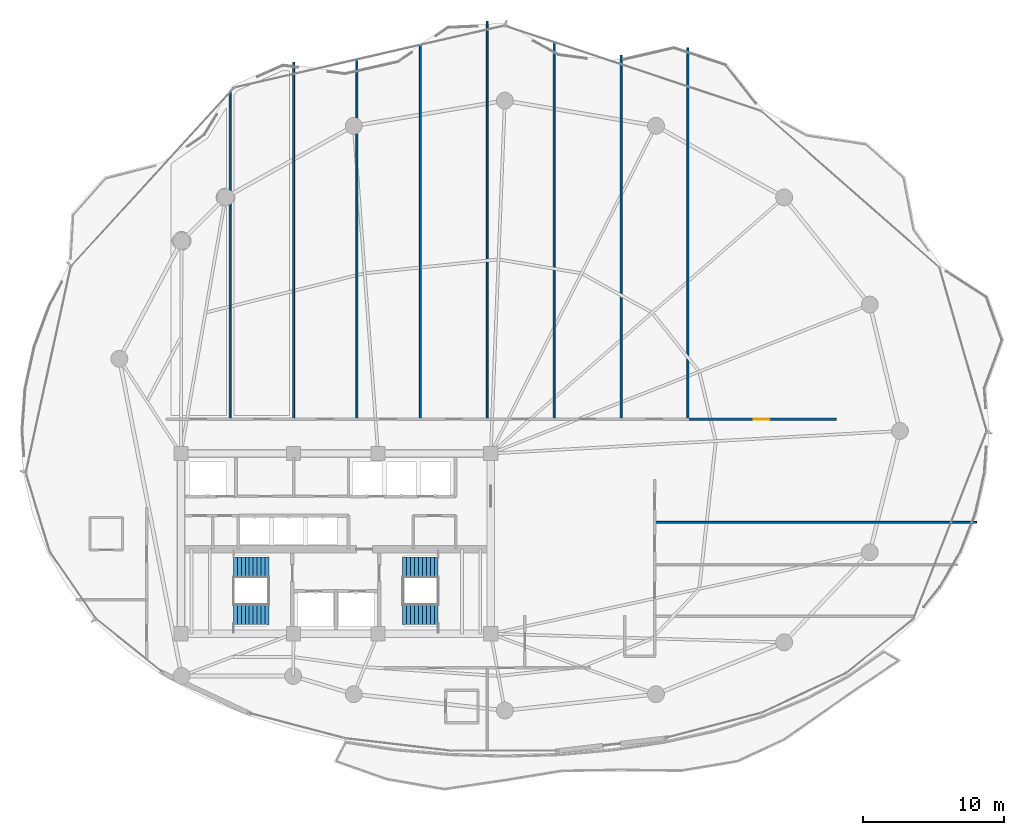
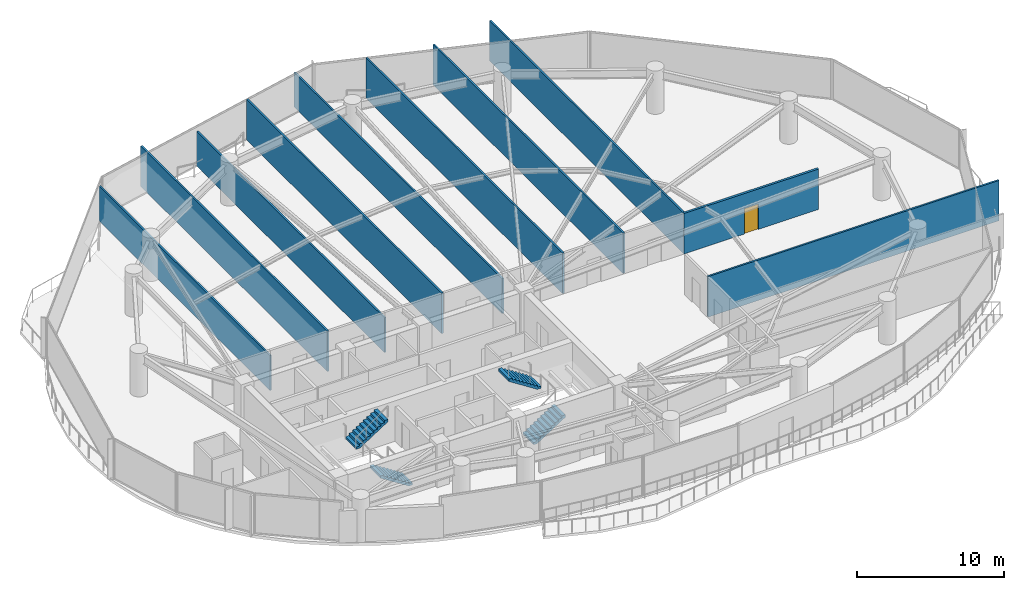
# One storey, part 28 of 34: 10 walls, 4 stair flights, 1 door, 1 opening, 2 elements without a shape of their own.
"""IFC4 building model written with IfcOpenShell, lengths in metres."""

from ifc_helpers import new_model, si_unit, direction, frame, frame_2d, origin, place, context, subcontext, project, spatial, polyline, rectangle, outline, extrude, material, layer, layer_set, type_object, element, fill, aggregate, save


model = new_model("IFC4")

# Units and contexts
model_context = context("Model", 3, precision=1e-05, world=origin(), true_north=direction((0.0, 1.0)))
body_context = subcontext(model_context, "Body", "Model", "MODEL_VIEW")
ifc_project = project(units=[si_unit("LENGTHUNIT", "METRE"), si_unit("AREAUNIT", "SQUARE_METRE"), si_unit("VOLUMEUNIT", "CUBIC_METRE"), si_unit("PLANEANGLEUNIT", "RADIAN"), si_unit("MASSUNIT", "GRAM", prefix="KILO")], contexts=[model_context])

# Site, building, storey
site_placement = place(None, origin())
site = spatial("IfcSite", under=ifc_project, at=site_placement, CompositionType="ELEMENT")
building_placement = place(site_placement, origin())
building = spatial("IfcBuilding", under=site, at=building_placement, Name="Kazevale Care Tower and Concert Hall", CompositionType="ELEMENT")
storey_placement = place(building_placement, frame((0.0, 0.0, 171.0)))
storey = spatial("IfcBuildingStorey", under=building, at=storey_placement, Name="L45", CompositionType="ELEMENT", Elevation=171.0)

# Walls
ifc_material_1 = material(Name="Acoustic Gypsum on Steel Stud", Category="steel")
ifc_layer_1 = layer(ifc_material_1, 0.139892578125)
ifc_layer_set_1 = layer_set([ifc_layer_1], Name="Acoustic Gypsum on Steel Stud")
wall_type_1 = type_object("IfcWallType", Name="Acoustic Care & Suite Partition 140", PredefinedType="PARTITIONING", material=ifc_layer_set_1)
wall_1_placement = place(storey_placement, frame((25.5, 62.048828125, 0.0), z_axis=(0.0, 0.0, 1.0), x_axis=(0.0, -1.0, 0.0)))
element("IfcWall", 1, at=wall_1_placement, inside=storey, type_object=wall_type_1, Name="wall:L45:auto_021", PredefinedType="PARTITIONING", context=body_context, shape_type="SweptSolid", body=[
    extrude(rectangle(XDim=23.25390625, YDim=0.139892578125, at=frame_2d((11.626953125, 0.0))), origin(), (0.0, 0.0, 1.0), 2.889892578125),
])
wall_2_placement = place(storey_placement, frame((30.0, 64.177001953125, 0.0), z_axis=(0.0, 0.0, 1.0), x_axis=(0.0, -1.0, 0.0)))
element("IfcWall", 2, at=wall_2_placement, inside=storey, type_object=wall_type_1, Name="wall:L45:auto_022", PredefinedType="PARTITIONING", context=body_context, shape_type="SweptSolid", body=[
    extrude(rectangle(XDim=25.382080078125, YDim=0.139892578125, at=frame_2d((12.69091796875, 0.0))), origin(), (0.0, 0.0, 1.0), 3.360107421875),
])
wall_3_placement = place(storey_placement, frame((34.5, 64.359130859375, 0.0), z_axis=(0.0, 0.0, 1.0), x_axis=(0.0, -1.0, 0.0)))
element("IfcWall", 3, at=wall_3_placement, inside=storey, type_object=wall_type_1, Name="wall:L45:auto_023", PredefinedType="PARTITIONING", context=body_context, shape_type="SweptSolid", body=[
    extrude(rectangle(XDim=25.564208984375, YDim=0.139892578125, at=frame_2d((12.7822265625, 0.0))), origin(), (0.0, 0.0, 1.0), 2.889892578125),
])
wall_4_placement = place(storey_placement, frame((39.0, 65.391357421875, 0.0), z_axis=(0.0, 0.0, 1.0), x_axis=(0.0, -1.0, 0.0)))
element("IfcWall", 4, at=wall_4_placement, inside=storey, type_object=wall_type_1, Name="wall:L45:auto_024", PredefinedType="PARTITIONING", context=body_context, shape_type="SweptSolid", body=[
    extrude(rectangle(XDim=26.596435546875, YDim=0.139892578125, at=frame_2d((13.29833984375, 0.0))), origin(), (0.0, 0.0, 1.0), 3.360107421875),
])
wall_5_placement = place(storey_placement, frame((43.75, 67.093994140625, 0.0), z_axis=(0.0, 0.0, 1.0), x_axis=(0.0, -1.0, 0.0)))
element("IfcWall", 5, at=wall_5_placement, inside=storey, type_object=wall_type_1, Name="wall:L45:auto_025", PredefinedType="PARTITIONING", context=body_context, shape_type="SweptSolid", body=[
    extrude(rectangle(XDim=28.299072265625, YDim=0.139892578125, at=frame_2d((14.1494140625, 0.0))), origin(), (0.0, 0.0, 1.0), 2.889892578125),
])
wall_6_placement = place(storey_placement, frame((48.5, 65.5830078125, 0.0), z_axis=(0.0, 0.0, 1.0), x_axis=(0.0, -1.0, 0.0)))
element("IfcWall", 6, at=wall_6_placement, inside=storey, type_object=wall_type_1, Name="wall:L45:auto_026", PredefinedType="PARTITIONING", context=body_context, shape_type="SweptSolid", body=[
    extrude(rectangle(XDim=26.7880859375, YDim=0.139892578125, at=frame_2d((13.39404296875, 0.0))), origin(), (0.0, 0.0, 1.0), 3.360107421875),
])
wall_7_placement = place(storey_placement, frame((53.25, 64.656005859375, 0.0), z_axis=(0.0, 0.0, 1.0), x_axis=(0.0, -1.0, 0.0)))
element("IfcWall", 7, at=wall_7_placement, inside=storey, type_object=wall_type_1, Name="wall:L45:auto_027", PredefinedType="PARTITIONING", context=body_context, shape_type="SweptSolid", body=[
    extrude(rectangle(XDim=25.861083984375, YDim=0.139892578125, at=frame_2d((12.9306640625, 0.0))), origin(), (0.0, 0.0, 1.0), 3.360107421875),
])
wall_8_placement = place(storey_placement, frame((58.0, 65.18798828125, 0.0), z_axis=(0.0, 0.0, 1.0), x_axis=(0.0, -1.0, 0.0)))
element("IfcWall", 8, at=wall_8_placement, inside=storey, type_object=wall_type_1, Name="wall:L45:auto_028", PredefinedType="PARTITIONING", context=body_context, shape_type="SweptSolid", body=[
    extrude(rectangle(XDim=26.39306640625, YDim=0.139892578125, at=frame_2d((13.196533203125, 0.0))), origin(), (0.0, 0.0, 1.0), 3.360107421875),
])
wall_9_placement = place(storey_placement, frame((55.6201171875, 31.5, 0.0), z_axis=(0.0, 0.0, 1.0), x_axis=(1.0, 0.0, 0.0)))
element("IfcWall", 9, at=wall_9_placement, inside=storey, type_object=wall_type_1, Name="wall:L45:auto_032", PredefinedType="PARTITIONING", context=body_context, shape_type="SweptSolid", body=[
    extrude(rectangle(XDim=22.869873046875, YDim=0.139892578125, at=frame_2d((11.43505859375, 0.0))), origin(), (0.0, 0.0, 1.0), 3.360107421875),
])

# Wall, opening, door
ifc_material_2 = material(Name="Concrete C40 and Acoustic Gypsum", Category="concrete")
ifc_layer_2 = layer(ifc_material_2, 0.179931640625)
ifc_layer_set_2 = layer_set([ifc_layer_2], Name="Concrete C40 and Acoustic Gypsum")
wall_type_2 = type_object("IfcWallType", Name="Fire-Rated Corridor & Party Wall 180", PredefinedType="PARTITIONING", material=ifc_layer_set_2)
wall_10_placement = place(storey_placement, frame((57.93505859375, 38.824951171875, 0.0), z_axis=(0.0, 0.0, 1.0), x_axis=(1.0, 0.0, 0.0)))
wall_10 = element("IfcWall", 10, at=wall_10_placement, inside=storey, type_object=wall_type_2, Name="wall:L45:auto_009", PredefinedType="PARTITIONING", context=body_context, shape_type="SweptSolid", body=[
    extrude(rectangle(XDim=10.594970703125, YDim=0.179931640625, at=frame_2d((5.29736328125, 0.0))), origin(), (0.0, 0.0, 1.0), 3.360107421875),
])
opening_placement = place(wall_10_placement, frame((4.748046875, 0.0, 0.0)))
opening = element("IfcOpeningElement", 11, at=opening_placement, cuts=wall_10, Name="Opening ID-1100", PredefinedType="OPENING", context=body_context, shape_type="SweptSolid", body=[
    extrude(rectangle(XDim=1.10009765625, YDim=2.10009765625, at=frame_2d((0.550048828125, 1.050048828125))), frame((0.0, 0.099853515625, 0.0), z_axis=(0.0, -1.0, 0.0), x_axis=(1.0, 0.0, 0.0)), (0.0, 0.0, 1.0), 0.199951171875),
])
ifc_material_3 = material(Name="Oak Timber Fire Leaf", Category="wood")
door_type = type_object("IfcDoorType", Name="Care Bedroom Accessible Door 1100x2100", OperationType="NOTDEFINED", PredefinedType="DOOR", material=ifc_material_3)
door_placement = place(opening_placement, origin())
door = element("IfcDoor", 12, at=door_placement, inside=storey, type_object=door_type, Name="door:L45:ad_009", OperationType="SINGLE_SWING_LEFT", OverallHeight=2.10009765625, OverallWidth=1.10009765625, PredefinedType="DOOR", context=body_context, shape_type="SweptSolid", body=[
    extrude(rectangle(XDim=1.10009765625, YDim=2.10009765625, at=frame_2d((0.550048828125, 1.050048828125))), frame((0.0, 0.02490234375, 0.0), z_axis=(0.0, -1.0, 0.0), x_axis=(1.0, 0.0, 0.0)), (0.0, 0.0, 1.0), 0.050048828125),
])
fill(opening, door)

# Stair, stair flights
ifc_material_4 = material(Name="Concrete C40", Category="concrete")
stair_type = type_object("IfcStairType", Name="Exit Stair Assembly ST1-Z2", PredefinedType="HALF_TURN_STAIR", material=ifc_material_4)
stair_1_placement = place(storey_placement, origin())
stair_1 = element("IfcStair", 13, at=stair_1_placement, inside=storey, type_object=stair_type, Name="stair:L45:ST1", PredefinedType="HALF_TURN_STAIR")
ifc_layer_3 = layer(ifc_material_4, 0.159912109375)
ifc_layer_set_3 = layer_set([ifc_layer_3], Name="Concrete C40")
stair_flight_type = type_object("IfcStairFlightType", Name="Exit Stair Flight ST1-Z2", PredefinedType="STRAIGHT", material=ifc_layer_set_3)
stair_flight_1_placement = place(storey_placement, frame((28.25, 24.97998046875, 0.0), z_axis=(0.0, 0.0, 1.0), x_axis=(-1.0, 0.0, 0.0)))
stair_flight_1 = element("IfcStairFlight", 14, at=stair_flight_1_placement, type_object=stair_flight_type, Name="ST1-Z2 flight 1", NumberOfRisers=10, NumberOfTreads=9, PredefinedType="STRAIGHT", RiserHeight=0.18, TreadLength=0.28, context=body_context, shape_type="SweptSolid", body=[
    extrude(outline(polyline([(0.0, 0.0), (0.0, 0.179931640625), (0.280029296875, 0.179931640625), (0.280029296875, 0.360107421875), (0.56005859375, 0.360107421875), (0.56005859375, 0.5400390625), (0.840087890625, 0.5400390625), (0.840087890625, 0.719970703125), (1.1201171875, 0.719970703125), (1.1201171875, 0.89990234375), (1.39990234375, 0.89990234375), (1.39990234375, 1.080078125), (1.679931640625, 1.080078125), (1.679931640625, 1.260009765625), (1.9599609375, 1.260009765625), (1.9599609375, 1.43994140625), (2.239990234375, 1.43994140625), (2.239990234375, 1.6201171875), (2.52001953125, 1.6201171875), (2.52001953125, 1.800048828125), (2.52001953125, 1.429931640625), (0.295654296875, 0.0), (0.0, 0.0)])), frame((0.0, 0.72998046875, 0.0), z_axis=(0.0, -1.0, 0.0), x_axis=(1.0, 0.0, 0.0)), (0.0, 0.0, 1.0), 1.4599609375),
])
stair_flight_2_placement = place(storey_placement, frame((25.72998046875, 28.320068359375, 1.800048828125), z_axis=(0.0, 0.0, 1.0), x_axis=(1.0, 0.0, 0.0)))
stair_flight_2 = element("IfcStairFlight", 15, at=stair_flight_2_placement, type_object=stair_flight_type, Name="ST1-Z2 flight 2", NumberOfRisers=10, NumberOfTreads=9, PredefinedType="STRAIGHT", RiserHeight=0.18, TreadLength=0.28, context=body_context, shape_type="SweptSolid", body=[
    extrude(outline(polyline([(0.0, 0.0), (0.0, 0.179931640625), (0.280029296875, 0.179931640625), (0.280029296875, 0.360107421875), (0.56005859375, 0.360107421875), (0.56005859375, 0.5400390625), (0.840087890625, 0.5400390625), (0.840087890625, 0.719970703125), (1.1201171875, 0.719970703125), (1.1201171875, 0.89990234375), (1.39990234375, 0.89990234375), (1.39990234375, 1.080078125), (1.679931640625, 1.080078125), (1.679931640625, 1.260009765625), (1.9599609375, 1.260009765625), (1.9599609375, 1.43994140625), (2.239990234375, 1.43994140625), (2.239990234375, 1.6201171875), (2.52001953125, 1.6201171875), (2.52001953125, 1.800048828125), (2.52001953125, 1.429931640625), (0.295654296875, 0.0), (0.0, 0.0)])), frame((0.0, 0.72998046875, 0.0), z_axis=(0.0, -1.0, 0.0), x_axis=(1.0, 0.0, 0.0)), (0.0, 0.0, 1.0), 1.4599609375),
])
aggregate(stair_1, [stair_flight_1, stair_flight_2])

stair_2_placement = place(storey_placement, origin())
stair_2 = element("IfcStair", 16, at=stair_2_placement, inside=storey, type_object=stair_type, Name="stair:L45:ST2", PredefinedType="HALF_TURN_STAIR")
stair_flight_3_placement = place(storey_placement, frame((37.75, 24.97998046875, 0.0), z_axis=(0.0, 0.0, 1.0), x_axis=(1.0, 0.0, 0.0)))
stair_flight_3 = element("IfcStairFlight", 17, at=stair_flight_3_placement, type_object=stair_flight_type, Name="ST1-Z2 flight 1", NumberOfRisers=10, NumberOfTreads=9, PredefinedType="STRAIGHT", RiserHeight=0.18, TreadLength=0.28, context=body_context, shape_type="SweptSolid", body=[
    extrude(outline(polyline([(0.0, 0.0), (0.0, 0.179931640625), (0.280029296875, 0.179931640625), (0.280029296875, 0.360107421875), (0.56005859375, 0.360107421875), (0.56005859375, 0.5400390625), (0.840087890625, 0.5400390625), (0.840087890625, 0.719970703125), (1.1201171875, 0.719970703125), (1.1201171875, 0.89990234375), (1.39990234375, 0.89990234375), (1.39990234375, 1.080078125), (1.679931640625, 1.080078125), (1.679931640625, 1.260009765625), (1.9599609375, 1.260009765625), (1.9599609375, 1.43994140625), (2.239990234375, 1.43994140625), (2.239990234375, 1.6201171875), (2.52001953125, 1.6201171875), (2.52001953125, 1.800048828125), (2.52001953125, 1.429931640625), (0.295654296875, 0.0), (0.0, 0.0)])), frame((0.0, 0.72998046875, 0.0), z_axis=(0.0, -1.0, 0.0), x_axis=(1.0, 0.0, 0.0)), (0.0, 0.0, 1.0), 1.4599609375),
])
stair_flight_4_placement = place(storey_placement, frame((40.27001953125, 28.320068359375, 1.800048828125), z_axis=(0.0, 0.0, 1.0), x_axis=(-1.0, 0.0, 0.0)))
stair_flight_4 = element("IfcStairFlight", 18, at=stair_flight_4_placement, type_object=stair_flight_type, Name="ST1-Z2 flight 2", NumberOfRisers=10, NumberOfTreads=9, PredefinedType="STRAIGHT", RiserHeight=0.18, TreadLength=0.28, context=body_context, shape_type="SweptSolid", body=[
    extrude(outline(polyline([(0.0, 0.0), (0.0, 0.179931640625), (0.280029296875, 0.179931640625), (0.280029296875, 0.360107421875), (0.56005859375, 0.360107421875), (0.56005859375, 0.5400390625), (0.840087890625, 0.5400390625), (0.840087890625, 0.719970703125), (1.1201171875, 0.719970703125), (1.1201171875, 0.89990234375), (1.39990234375, 0.89990234375), (1.39990234375, 1.080078125), (1.679931640625, 1.080078125), (1.679931640625, 1.260009765625), (1.9599609375, 1.260009765625), (1.9599609375, 1.43994140625), (2.239990234375, 1.43994140625), (2.239990234375, 1.6201171875), (2.52001953125, 1.6201171875), (2.52001953125, 1.800048828125), (2.52001953125, 1.429931640625), (0.295654296875, 0.0), (0.0, 0.0)])), frame((0.0, 0.72998046875, 0.0), z_axis=(0.0, -1.0, 0.0), x_axis=(1.0, 0.0, 0.0)), (0.0, 0.0, 1.0), 1.4599609375),
])
aggregate(stair_2, [stair_flight_3, stair_flight_4])

save(model, "model.ifc")
